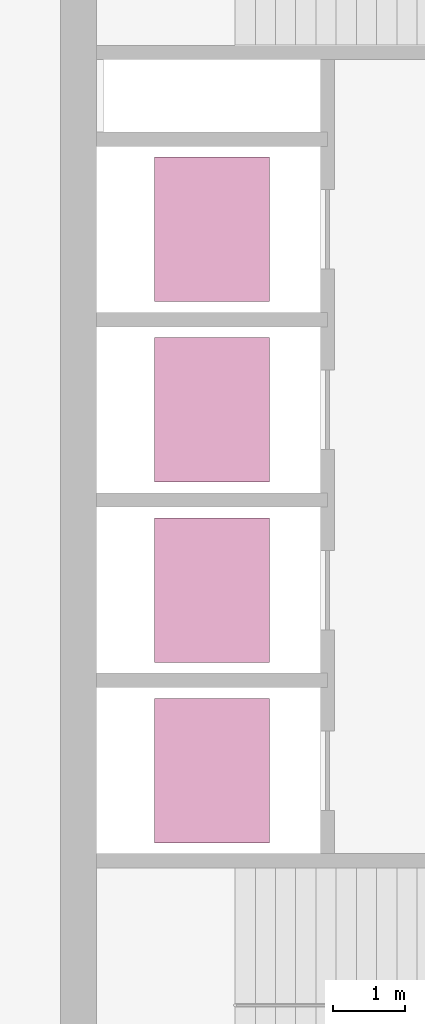
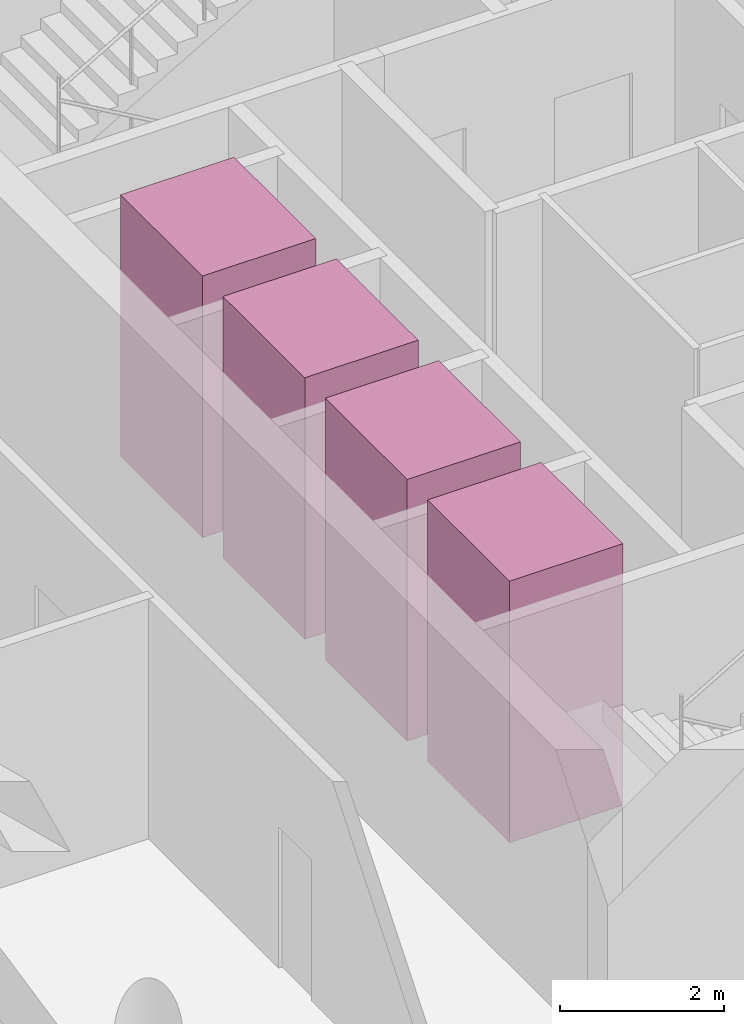
# One storey, part 8 of 8: 4 transport elements.
"""IFC4 building model written with IfcOpenShell, lengths in metres."""

from ifc_helpers import new_model, si_unit, direction, frame, origin, origin_2d, place, context, subcontext, project, spatial, rectangle, extrude, material, type_object, element, save


model = new_model("IFC4")

# Units and contexts
model_context = context("Model", 3, precision=1e-05, world=origin(), true_north=direction((0.0, 1.0)))
body_context = subcontext(model_context, "Body", "Model", "MODEL_VIEW")
ifc_project = project(units=[si_unit("LENGTHUNIT", "METRE"), si_unit("AREAUNIT", "SQUARE_METRE"), si_unit("VOLUMEUNIT", "CUBIC_METRE"), si_unit("PLANEANGLEUNIT", "RADIAN"), si_unit("MASSUNIT", "GRAM", prefix="KILO")], contexts=[model_context])

# Site, building, storey
site_placement = place(None, origin())
site = spatial("IfcSite", under=ifc_project, at=site_placement, CompositionType="ELEMENT")
building_placement = place(site_placement, origin())
building = spatial("IfcBuilding", under=site, at=building_placement, Name="Qaws Garden Tower", CompositionType="ELEMENT")
storey_placement = place(building_placement, frame((0.0, 0.0, 341.10009765625)))
storey = spatial("IfcBuildingStorey", under=building, at=storey_placement, Name="L83", CompositionType="ELEMENT", Elevation=341.10009765625)

# Transport elements
ifc_material = material(Name="Stainless steel 316", Category="steel")
transport_element_type = type_object("IfcTransportElementType", Name="Passenger lift car 2000x1600 1800 kg", PredefinedType="ELEVATOR", material=ifc_material)
for number, where, z_axis, x_axis, name in (
    (1, (10.10009765625, 13.64990234375, 0.0), (0.0, 0.0, 1.0), (1.0, 0.0, 0.0), "HR1"),
    (2, (10.10009765625, 16.14990234375, 0.0), (0.0, 0.0, 1.0), (1.0, 0.0, 0.0), "HR2"),
    (3, (10.10009765625, 18.64990234375, 0.0), (0.0, 0.0, 1.0), (1.0, 0.0, 0.0), "HR3"),
    (4, (10.10009765625, 21.14990234375, 0.0), (0.0, 0.0, 1.0), (1.0, 0.0, 0.0), "HR4"),
):
    element("IfcTransportElement", number, at=place(storey_placement, frame(where, z_axis=z_axis, x_axis=x_axis)), inside=storey, type_object=transport_element_type, Name=name, PredefinedType="ELEVATOR", context=body_context, shape_type="SweptSolid", body=[
        extrude(rectangle(XDim=1.60009765625, YDim=2.0, at=origin_2d()), origin(), (0.0, 0.0, 1.0), 3.89990234375),
    ])

save(model, "model.ifc")
